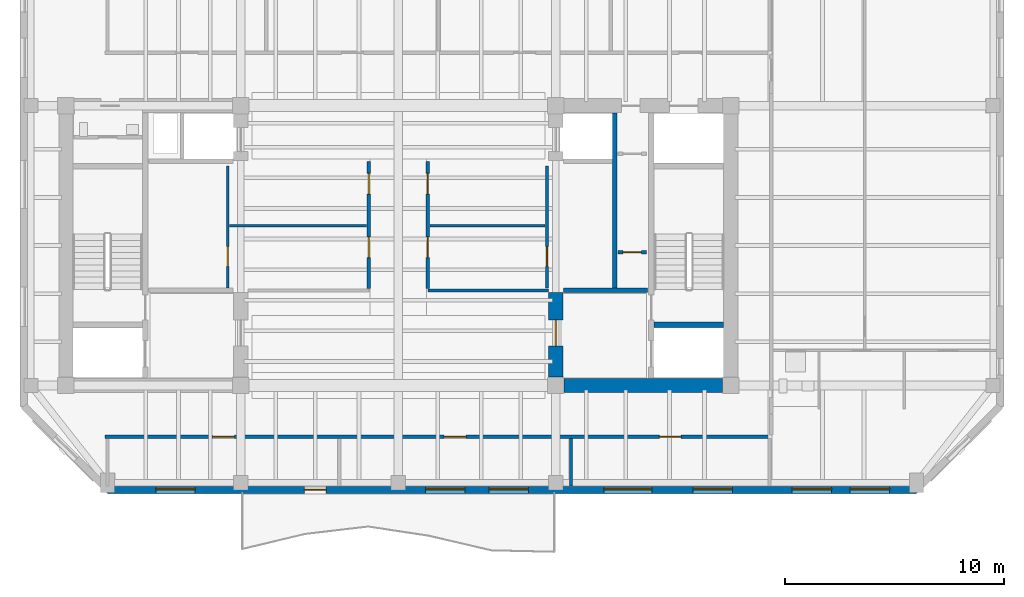
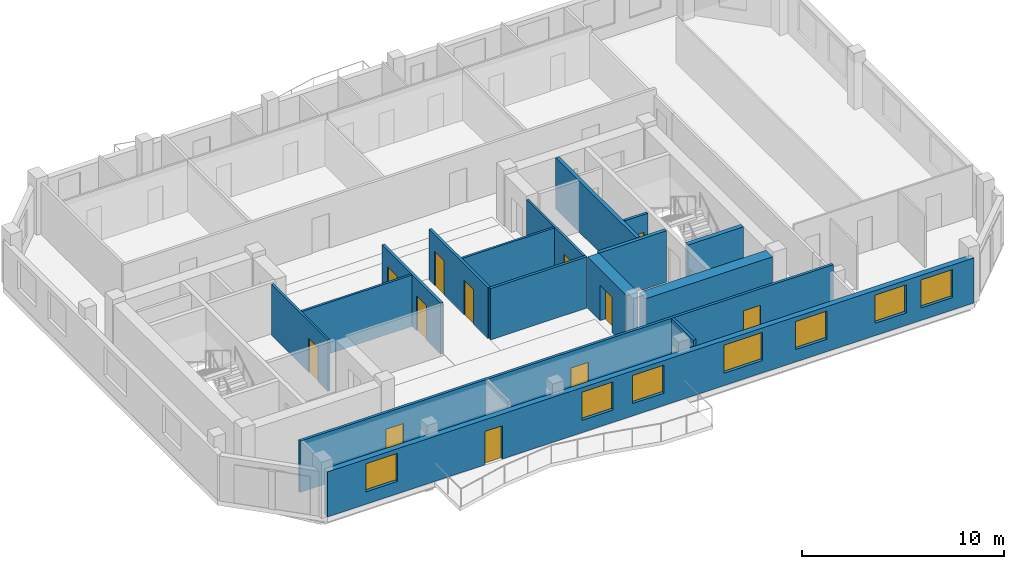
# One storey, part 3 of 9: 16 walls, 12 doors, 7 windows, 19 openings.
"""IFC4 building model written with IfcOpenShell, lengths in metres."""

from ifc_helpers import new_model, si_unit, direction, frame, frame_2d, origin, place, context, subcontext, project, spatial, rectangle, extrude, material, layer, layer_set, type_object, element, fill, save


model = new_model("IFC4")

# Units and contexts
model_context = context("Model", 3, precision=1e-05, world=origin(), true_north=direction((0.0, 1.0)))
body_context = subcontext(model_context, "Body", "Model", "MODEL_VIEW")
ifc_project = project(units=[si_unit("LENGTHUNIT", "METRE"), si_unit("AREAUNIT", "SQUARE_METRE"), si_unit("VOLUMEUNIT", "CUBIC_METRE"), si_unit("PLANEANGLEUNIT", "RADIAN"), si_unit("MASSUNIT", "GRAM", prefix="KILO")], contexts=[model_context])

# Site, building, storey
site_placement = place(None, origin())
site = spatial("IfcSite", under=ifc_project, at=site_placement, CompositionType="ELEMENT")
building_placement = place(site_placement, origin())
building = spatial("IfcBuilding", under=site, at=building_placement, Name="Kranthara Brick Stack", CompositionType="ELEMENT")
storey_placement = place(building_placement, frame((0.0, 0.0, 261.89990234375)))
storey = spatial("IfcBuildingStorey", under=building, at=storey_placement, Name="L69", CompositionType="ELEMENT", Elevation=261.89990234375)

# Wall, openings, door, windows
ifc_material_1 = material(Name="Warm buff clay brick masonry M15", Category="masonry")
ifc_layer_1 = layer(ifc_material_1, 0.320068359375)
ifc_layer_set_1 = layer_set([ifc_layer_1], Name="Warm buff clay brick masonry M15")
wall_type_1 = type_object("IfcWallType", Name="WL-BRK-UPPR-320", PredefinedType="STANDARD", material=ifc_layer_set_1)
wall_1_placement = place(storey_placement, frame((51.699951171875, 16.030029296875, 0.0), z_axis=(0.0, 0.0, 1.0), x_axis=(-1.0, 0.0, 0.0)))
wall_1 = element("IfcWall", 1, at=wall_1_placement, inside=storey, type_object=wall_type_1, Name="L69 Exterior Brick Facade Wall SOUTH 1", PredefinedType="STANDARD", context=body_context, shape_type="SweptSolid", body=[
    extrude(rectangle(XDim=37.0, YDim=0.320068359375, at=frame_2d((18.5, 0.0))), origin(), (0.0, 0.0, 1.0), 2.72509765625),
])
opening_1_placement = place(wall_1_placement, frame((27.0, 0.0, 0.0)))
opening_1 = element("IfcOpeningElement", 2, at=opening_1_placement, cuts=wall_1, Name="Opening D03", PredefinedType="OPENING", context=body_context, shape_type="SweptSolid", body=[
    extrude(rectangle(XDim=1.0, YDim=2.02001953125, at=frame_2d((0.5, 1.010009765625))), frame((0.0, 0.169921875, 0.0), z_axis=(0.0, -1.0, 0.0), x_axis=(1.0, 0.0, 0.0)), (0.0, 0.0, 1.0), 0.340087890625),
])
opening_2_placement = place(wall_1_placement, frame((1.235107421875, 0.0, 0.75)))
opening_2 = element("IfcOpeningElement", 3, at=opening_2_placement, cuts=wall_1, Name="Opening WN07", PredefinedType="OPENING", context=body_context, shape_type="SweptSolid", body=[
    extrude(rectangle(XDim=1.800048828125, YDim=1.699951171875, at=frame_2d((0.89990234375, 0.85009765625))), frame((0.0, 0.169921875, 0.0), z_axis=(0.0, -1.0, 0.0), x_axis=(1.0, 0.0, 0.0)), (0.0, 0.0, 1.0), 0.340087890625),
])
opening_3_placement = place(wall_1_placement, frame((3.885009765625, 0.0, 0.75)))
opening_3 = element("IfcOpeningElement", 4, at=opening_3_placement, cuts=wall_1, Name="Opening WN07", PredefinedType="OPENING", context=body_context, shape_type="SweptSolid", body=[
    extrude(rectangle(XDim=1.800048828125, YDim=1.699951171875, at=frame_2d((0.89990234375, 0.85009765625))), frame((0.0, 0.169921875, 0.0), z_axis=(0.0, -1.0, 0.0), x_axis=(1.0, 0.0, 0.0)), (0.0, 0.0, 1.0), 0.340087890625),
])
opening_4_placement = place(wall_1_placement, frame((8.422119140625, 0.0, 0.75)))
opening_4 = element("IfcOpeningElement", 5, at=opening_4_placement, cuts=wall_1, Name="Opening WN07", PredefinedType="OPENING", context=body_context, shape_type="SweptSolid", body=[
    extrude(rectangle(XDim=1.800048828125, YDim=1.699951171875, at=frame_2d((0.89990234375, 0.85009765625))), frame((0.0, 0.169921875, 0.0), z_axis=(0.0, -1.0, 0.0), x_axis=(1.0, 0.0, 0.0)), (0.0, 0.0, 1.0), 0.340087890625),
])
opening_5_placement = place(wall_1_placement, frame((12.10205078125, 0.0, 0.75)))
opening_5 = element("IfcOpeningElement", 6, at=opening_5_placement, cuts=wall_1, Name="Opening WN08", PredefinedType="OPENING", context=body_context, shape_type="SweptSolid", body=[
    extrude(rectangle(XDim=2.199951171875, YDim=1.699951171875, at=frame_2d((1.10009765625, 0.85009765625))), frame((0.0, 0.169921875, 0.0), z_axis=(0.0, -1.0, 0.0), x_axis=(1.0, 0.0, 0.0)), (0.0, 0.0, 1.0), 0.340087890625),
])
opening_6_placement = place(wall_1_placement, frame((17.748046875, 0.0, 0.75)))
opening_6 = element("IfcOpeningElement", 7, at=opening_6_placement, cuts=wall_1, Name="Opening WN07", PredefinedType="OPENING", context=body_context, shape_type="SweptSolid", body=[
    extrude(rectangle(XDim=1.800048828125, YDim=1.699951171875, at=frame_2d((0.89990234375, 0.85009765625))), frame((0.0, 0.169921875, 0.0), z_axis=(0.0, -1.0, 0.0), x_axis=(1.0, 0.0, 0.0)), (0.0, 0.0, 1.0), 0.340087890625),
])
opening_7_placement = place(wall_1_placement, frame((20.652099609375, 0.0, 0.75)))
opening_7 = element("IfcOpeningElement", 8, at=opening_7_placement, cuts=wall_1, Name="Opening WN07", PredefinedType="OPENING", context=body_context, shape_type="SweptSolid", body=[
    extrude(rectangle(XDim=1.800048828125, YDim=1.699951171875, at=frame_2d((0.89990234375, 0.85009765625))), frame((0.0, 0.169921875, 0.0), z_axis=(0.0, -1.0, 0.0), x_axis=(1.0, 0.0, 0.0)), (0.0, 0.0, 1.0), 0.340087890625),
])
opening_8_placement = place(wall_1_placement, frame((32.988037109375, 0.0, 0.75)))
opening_8 = element("IfcOpeningElement", 9, at=opening_8_placement, cuts=wall_1, Name="Opening WN07", PredefinedType="OPENING", context=body_context, shape_type="SweptSolid", body=[
    extrude(rectangle(XDim=1.800048828125, YDim=1.699951171875, at=frame_2d((0.89990234375, 0.85009765625))), frame((0.0, 0.169921875, 0.0), z_axis=(0.0, -1.0, 0.0), x_axis=(1.0, 0.0, 0.0)), (0.0, 0.0, 1.0), 0.340087890625),
])
ifc_material_2 = material(Name="Bronze anodised aluminium and laminated glass", Category="aluminium")
door_type_1 = type_object("IfcDoorType", Name="DR-BALC-1000", OperationType="NOTDEFINED", PredefinedType="DOOR", material=ifc_material_2)
door_1_placement = place(opening_1_placement, origin())
door_1 = element("IfcDoor", 10, at=door_1_placement, inside=storey, type_object=door_type_1, Name="L69 South Balcony Terrace Door", OperationType="SINGLE_SWING_LEFT", OverallHeight=2.02001953125, OverallWidth=1.0, PredefinedType="DOOR", context=body_context, shape_type="SweptSolid", body=[
    extrude(rectangle(XDim=1.0, YDim=2.02001953125, at=frame_2d((0.5, 1.010009765625))), frame((0.0, 0.02490234375, 0.0), z_axis=(0.0, -1.0, 0.0), x_axis=(1.0, 0.0, 0.0)), (0.0, 0.0, 1.0), 0.050048828125),
])
fill(opening_1, door_1)
ifc_material_3 = material(Name="Double-glazed low-E solar control glass", Category="glass")
window_type_1 = type_object("IfcWindowType", Name="WN-RES-1800x1850", PartitioningType="DOUBLE_PANEL_VERTICAL", PredefinedType="WINDOW", material=ifc_material_3)
window_1_placement = place(opening_2_placement, origin())
window_1 = element("IfcWindow", 11, at=window_1_placement, inside=storey, type_object=window_type_1, Name="L69 South Deep-Set Brick Window 01", OverallHeight=1.699951171875, OverallWidth=1.800048828125, PartitioningType="SINGLE_PANEL", PredefinedType="WINDOW", context=body_context, shape_type="SweptSolid", body=[
    extrude(rectangle(XDim=1.800048828125, YDim=1.699951171875, at=frame_2d((0.89990234375, 0.85009765625))), frame((0.0, -0.010009765625, 0.0), z_axis=(0.0, -1.0, 0.0), x_axis=(1.0, 0.0, 0.0)), (0.0, 0.0, 1.0), 0.06005859375),
])
fill(opening_2, window_1)
window_2_placement = place(opening_3_placement, origin())
window_2 = element("IfcWindow", 12, at=window_2_placement, inside=storey, type_object=window_type_1, Name="L69 South Deep-Set Brick Window 02", OverallHeight=1.699951171875, OverallWidth=1.800048828125, PartitioningType="SINGLE_PANEL", PredefinedType="WINDOW", context=body_context, shape_type="SweptSolid", body=[
    extrude(rectangle(XDim=1.800048828125, YDim=1.699951171875, at=frame_2d((0.89990234375, 0.85009765625))), frame((0.0, -0.010009765625, 0.0), z_axis=(0.0, -1.0, 0.0), x_axis=(1.0, 0.0, 0.0)), (0.0, 0.0, 1.0), 0.06005859375),
])
fill(opening_3, window_2)
window_3_placement = place(opening_4_placement, origin())
window_3 = element("IfcWindow", 13, at=window_3_placement, inside=storey, type_object=window_type_1, Name="L69 South Deep-Set Brick Window 03", OverallHeight=1.699951171875, OverallWidth=1.800048828125, PartitioningType="SINGLE_PANEL", PredefinedType="WINDOW", context=body_context, shape_type="SweptSolid", body=[
    extrude(rectangle(XDim=1.800048828125, YDim=1.699951171875, at=frame_2d((0.89990234375, 0.85009765625))), frame((0.0, -0.010009765625, 0.0), z_axis=(0.0, -1.0, 0.0), x_axis=(1.0, 0.0, 0.0)), (0.0, 0.0, 1.0), 0.06005859375),
])
fill(opening_4, window_3)
window_4_placement = place(opening_6_placement, origin())
window_4 = element("IfcWindow", 14, at=window_4_placement, inside=storey, type_object=window_type_1, Name="L69 South Deep-Set Brick Window 05", OverallHeight=1.699951171875, OverallWidth=1.800048828125, PartitioningType="SINGLE_PANEL", PredefinedType="WINDOW", context=body_context, shape_type="SweptSolid", body=[
    extrude(rectangle(XDim=1.800048828125, YDim=1.699951171875, at=frame_2d((0.89990234375, 0.85009765625))), frame((0.0, -0.010009765625, 0.0), z_axis=(0.0, -1.0, 0.0), x_axis=(1.0, 0.0, 0.0)), (0.0, 0.0, 1.0), 0.06005859375),
])
fill(opening_6, window_4)
window_5_placement = place(opening_7_placement, origin())
window_5 = element("IfcWindow", 15, at=window_5_placement, inside=storey, type_object=window_type_1, Name="L69 South Deep-Set Brick Window 06", OverallHeight=1.699951171875, OverallWidth=1.800048828125, PartitioningType="SINGLE_PANEL", PredefinedType="WINDOW", context=body_context, shape_type="SweptSolid", body=[
    extrude(rectangle(XDim=1.800048828125, YDim=1.699951171875, at=frame_2d((0.89990234375, 0.85009765625))), frame((0.0, -0.010009765625, 0.0), z_axis=(0.0, -1.0, 0.0), x_axis=(1.0, 0.0, 0.0)), (0.0, 0.0, 1.0), 0.06005859375),
])
fill(opening_7, window_5)
window_6_placement = place(opening_8_placement, origin())
window_6 = element("IfcWindow", 16, at=window_6_placement, inside=storey, type_object=window_type_1, Name="L69 South Deep-Set Brick Window 07", OverallHeight=1.699951171875, OverallWidth=1.800048828125, PartitioningType="SINGLE_PANEL", PredefinedType="WINDOW", context=body_context, shape_type="SweptSolid", body=[
    extrude(rectangle(XDim=1.800048828125, YDim=1.699951171875, at=frame_2d((0.89990234375, 0.85009765625))), frame((0.0, -0.010009765625, 0.0), z_axis=(0.0, -1.0, 0.0), x_axis=(1.0, 0.0, 0.0)), (0.0, 0.0, 1.0), 0.06005859375),
])
fill(opening_8, window_6)
ifc_material_4 = material(Name="Double-glazed low-E solar control glass", Category="glass")
window_type_2 = type_object("IfcWindowType", Name="WN-RES-2200x1850", PartitioningType="TRIPLE_PANEL_VERTICAL", PredefinedType="WINDOW", material=ifc_material_4)
window_7_placement = place(opening_5_placement, origin())
window_7 = element("IfcWindow", 17, at=window_7_placement, inside=storey, type_object=window_type_2, Name="L69 South Deep-Set Brick Window 04", OverallHeight=1.699951171875, OverallWidth=2.199951171875, PartitioningType="SINGLE_PANEL", PredefinedType="WINDOW", context=body_context, shape_type="SweptSolid", body=[
    extrude(rectangle(XDim=2.199951171875, YDim=1.699951171875, at=frame_2d((1.10009765625, 0.85009765625))), frame((0.0, -0.010009765625, 0.0), z_axis=(0.0, -1.0, 0.0), x_axis=(1.0, 0.0, 0.0)), (0.0, 0.0, 1.0), 0.06005859375),
])
fill(opening_5, window_7)

# Walls
ifc_material_5 = material(Name="Concrete C50/60", Category="concrete")
ifc_layer_2 = layer(ifc_material_5, 0.25)
ifc_layer_set_2 = layer_set([ifc_layer_2], Name="Concrete C50/60")
wall_type_2 = type_object("IfcWallType", Name="WL-CORE-250", PredefinedType="SHEAR", material=ifc_layer_set_2)
wall_2_placement = place(storey_placement, frame((39.68994140625, 23.570068359375, 0.0), z_axis=(0.0, 0.0, 1.0), x_axis=(1.0, 0.0, 0.0)))
element("IfcWall", 18, at=wall_2_placement, inside=storey, type_object=wall_type_2, Name="L69 East Stairwell Bearing Wall EFF", PredefinedType="SHEAR", context=body_context, shape_type="SweptSolid", body=[
    extrude(rectangle(XDim=3.175048828125, YDim=0.25, at=frame_2d((1.58740234375, 0.0))), origin(), (0.0, 0.0, 1.0), 3.10009765625),
])
ifc_material_6 = material(Name="Concrete C60/75", Category="concrete")
ifc_layer_3 = layer(ifc_material_6, 0.64990234375)
ifc_layer_set_3 = layer_set([ifc_layer_3], Name="Concrete C60/75")
wall_type_3 = type_object("IfcWallType", Name="WL-CORE-650", PredefinedType="SHEAR", material=ifc_layer_set_3)
wall_3_placement = place(storey_placement, frame((35.580078125, 20.800048828125, 0.0), z_axis=(0.0, 0.0, 1.0), x_axis=(1.0, 0.0, 0.0)))
element("IfcWall", 19, at=wall_3_placement, inside=storey, type_object=wall_type_3, Name="L69 East Core Shear Wall South", PredefinedType="SHEAR", context=body_context, shape_type="SweptSolid", body=[
    extrude(rectangle(XDim=7.239990234375, YDim=0.64990234375, at=frame_2d((3.6201171875, 0.0))), origin(), (0.0, 0.0, 1.0), 3.10009765625),
])

# Wall, opening, door
wall_4_placement = place(storey_placement, frame((35.199951171875, 21.179931640625, 0.0), z_axis=(0.0, 0.0, 1.0), x_axis=(0.0, 1.0, 0.0)))
wall_4 = element("IfcWall", 20, at=wall_4_placement, inside=storey, type_object=wall_type_3, Name="L69 East Core Lobby Shear Wall", PredefinedType="SHEAR", context=body_context, shape_type="SweptSolid", body=[
    extrude(rectangle(XDim=3.8701171875, YDim=0.64990234375, at=frame_2d((1.93505859375, 0.0))), origin(), (0.0, 0.0, 1.0), 3.10009765625),
])
opening_9_placement = place(wall_4_placement, frame((1.419921875, 0.0, 0.0)))
opening_9 = element("IfcOpeningElement", 21, at=opening_9_placement, cuts=wall_4, Name="Opening D06", PredefinedType="OPENING", context=body_context, shape_type="SweptSolid", body=[
    extrude(rectangle(XDim=1.199951171875, YDim=2.14990234375, at=frame_2d((0.60009765625, 1.074951171875))), frame((0.0, 0.3349609375, 0.0), z_axis=(0.0, -1.0, 0.0), x_axis=(1.0, 0.0, 0.0)), (0.0, 0.0, 1.0), 0.669921875),
])
ifc_material_7 = material(Name="Solid-core hardwood timber leaf in steel frame", Category="steel")
door_type_2 = type_object("IfcDoorType", Name="DR-FFL-1200", OperationType="NOTDEFINED", PredefinedType="DOOR", material=ifc_material_7)
door_2_placement = place(opening_9_placement, origin())
door_2 = element("IfcDoor", 22, at=door_2_placement, inside=storey, type_object=door_type_2, Name="L69 East Firefighting Lobby Door", OperationType="SINGLE_SWING_RIGHT", OverallHeight=2.14990234375, OverallWidth=1.199951171875, PredefinedType="DOOR", context=body_context, shape_type="SweptSolid", body=[
    extrude(rectangle(XDim=1.199951171875, YDim=2.14990234375, at=frame_2d((0.60009765625, 1.074951171875))), frame((0.0, 0.02490234375, 0.0), z_axis=(0.0, -1.0, 0.0), x_axis=(1.0, 0.0, 0.0)), (0.0, 0.0, 1.0), 0.050048828125),
])
fill(opening_9, door_2)

ifc_material_8 = material(Name="Acoustic gypsum plasterboard partition", Category="other")
ifc_layer_4 = layer(ifc_material_8, 0.1201171875)
ifc_layer_set_4 = layer_set([ifc_layer_4], Name="Acoustic gypsum plasterboard partition")
wall_type_4 = type_object("IfcWallType", Name="WL-PART-120", PredefinedType="PARTITIONING", material=ifc_layer_set_4)
wall_5_placement = place(storey_placement, frame((20.199951171875, 25.2548828125, 0.0), z_axis=(0.0, 0.0, 1.0), x_axis=(0.0, 1.0, 0.0)))
wall_5 = element("IfcWall", 23, at=wall_5_placement, inside=storey, type_object=wall_type_4, Name="L69 Interior Partition 007", PredefinedType="PARTITIONING", context=body_context, shape_type="SweptSolid", body=[
    extrude(rectangle(XDim=5.59521484375, YDim=0.1201171875, at=frame_2d((2.797607421875, 0.0))), origin(), (0.0, 0.0, 1.0), 3.10009765625),
])
opening_10_placement = place(wall_5_placement, frame((0.9951171875, 0.0, 0.0)))
opening_10 = element("IfcOpeningElement", 24, at=opening_10_placement, cuts=wall_5, Name="Opening D15", PredefinedType="OPENING", context=body_context, shape_type="SweptSolid", body=[
    extrude(rectangle(XDim=0.89990234375, YDim=2.050048828125, at=frame_2d((0.449951171875, 1.02490234375))), frame((0.0, 0.070068359375, 0.0), z_axis=(0.0, -1.0, 0.0), x_axis=(1.0, 0.0, 0.0)), (0.0, 0.0, 1.0), 0.14013671875),
])
ifc_material_9 = material(Name="Solid-core hardwood timber leaf in steel frame", Category="steel")
door_type_3 = type_object("IfcDoorType", Name="DR-INT-900", OperationType="NOTDEFINED", PredefinedType="DOOR", material=ifc_material_9)
door_3_placement = place(opening_10_placement, origin())
door_3 = element("IfcDoor", 25, at=door_3_placement, inside=storey, type_object=door_type_3, Name="L69 Music Room Door 04", OperationType="SINGLE_SWING_RIGHT", OverallHeight=2.050048828125, OverallWidth=0.89990234375, PredefinedType="DOOR", context=body_context, shape_type="SweptSolid", body=[
    extrude(rectangle(XDim=0.89990234375, YDim=2.050048828125, at=frame_2d((0.449951171875, 1.02490234375))), frame((0.0, 0.02490234375, 0.0), z_axis=(0.0, -1.0, 0.0), x_axis=(1.0, 0.0, 0.0)), (0.0, 0.0, 1.0), 0.050048828125),
])
fill(opening_10, door_3)

# Wall
wall_6_placement = place(storey_placement, frame((20.280029296875, 28.10009765625, 0.0), z_axis=(0.0, 0.0, 1.0), x_axis=(1.0, 0.0, 0.0)))
element("IfcWall", 26, at=wall_6_placement, inside=storey, type_object=wall_type_4, Name="L69 Interior Partition 008", PredefinedType="PARTITIONING", context=body_context, shape_type="SweptSolid", body=[
    extrude(rectangle(XDim=6.27001953125, YDim=0.1201171875, at=frame_2d((3.135009765625, 0.0))), origin(), (0.0, 0.0, 1.0), 3.10009765625),
])

# Wall, opening, door
wall_7_placement = place(storey_placement, frame((34.800048828125, 25.25, 0.0), z_axis=(0.0, 0.0, 1.0), x_axis=(0.0, 1.0, 0.0)))
wall_7 = element("IfcWall", 27, at=wall_7_placement, inside=storey, type_object=wall_type_4, Name="L69 Interior Partition 010", PredefinedType="PARTITIONING", context=body_context, shape_type="SweptSolid", body=[
    extrude(rectangle(XDim=5.60009765625, YDim=0.1201171875, at=frame_2d((2.800048828125, 0.0))), origin(), (0.0, 0.0, 1.0), 3.10009765625),
])
opening_11_placement = place(wall_7_placement, frame((1.0, 0.0, 0.0)))
opening_11 = element("IfcOpeningElement", 28, at=opening_11_placement, cuts=wall_7, Name="Opening D15", PredefinedType="OPENING", context=body_context, shape_type="SweptSolid", body=[
    extrude(rectangle(XDim=0.89990234375, YDim=2.050048828125, at=frame_2d((0.449951171875, 1.02490234375))), frame((0.0, 0.070068359375, 0.0), z_axis=(0.0, -1.0, 0.0), x_axis=(1.0, 0.0, 0.0)), (0.0, 0.0, 1.0), 0.14013671875),
])
door_4_placement = place(opening_11_placement, origin())
door_4 = element("IfcDoor", 29, at=door_4_placement, inside=storey, type_object=door_type_3, Name="L69 Yoga Studio Door 07", OperationType="SINGLE_SWING_LEFT", OverallHeight=2.050048828125, OverallWidth=0.89990234375, PredefinedType="DOOR", context=body_context, shape_type="SweptSolid", body=[
    extrude(rectangle(XDim=0.89990234375, YDim=2.050048828125, at=frame_2d((0.449951171875, 1.02490234375))), frame((0.0, 0.02490234375, 0.0), z_axis=(0.0, -1.0, 0.0), x_axis=(1.0, 0.0, 0.0)), (0.0, 0.0, 1.0), 0.050048828125),
])
fill(opening_11, door_4)

# Wall
wall_8_placement = place(storey_placement, frame((29.449951171875, 28.10009765625, 0.0), z_axis=(0.0, 0.0, 1.0), x_axis=(1.0, 0.0, 0.0)))
element("IfcWall", 30, at=wall_8_placement, inside=storey, type_object=wall_type_4, Name="L69 Interior Partition 011", PredefinedType="PARTITIONING", context=body_context, shape_type="SweptSolid", body=[
    extrude(rectangle(XDim=5.27001953125, YDim=0.1201171875, at=frame_2d((2.635009765625, 0.0))), origin(), (0.0, 0.0, 1.0), 3.10009765625),
])

# Wall, opening, door
ifc_material_10 = material(Name="Fire-rated gypsum board partition", Category="other")
ifc_layer_5 = layer(ifc_material_10, 0.14990234375)
ifc_layer_set_5 = layer_set([ifc_layer_5], Name="Fire-rated gypsum board partition")
wall_type_5 = type_object("IfcWallType", Name="WL-PART-150", PredefinedType="PARTITIONING", material=ifc_layer_set_5)
wall_9_placement = place(storey_placement, frame((38.050048828125, 26.89990234375, 0.0), z_axis=(0.0, 0.0, 1.0), x_axis=(1.0, 0.0, 0.0)))
wall_9 = element("IfcWall", 31, at=wall_9_placement, inside=storey, type_object=wall_type_5, Name="L69 Interior Partition 002", PredefinedType="PARTITIONING", context=body_context, shape_type="SweptSolid", body=[
    extrude(rectangle(XDim=1.300048828125, YDim=0.14990234375, at=frame_2d((0.64990234375, 0.0))), origin(), (0.0, 0.0, 1.0), 3.10009765625),
])
opening_12_placement = place(wall_9_placement, frame((0.219970703125, 0.0, 0.0)))
opening_12 = element("IfcOpeningElement", 32, at=opening_12_placement, cuts=wall_9, Name="Opening D10", PredefinedType="OPENING", context=body_context, shape_type="SweptSolid", body=[
    extrude(rectangle(XDim=0.85009765625, YDim=2.02001953125, at=frame_2d((0.425048828125, 1.010009765625))), frame((0.0, 0.0849609375, 0.0), z_axis=(0.0, -1.0, 0.0), x_axis=(1.0, 0.0, 0.0)), (0.0, 0.0, 1.0), 0.169921875),
])
ifc_material_11 = material(Name="Solid-core hardwood timber leaf in steel frame", Category="steel")
door_type_4 = type_object("IfcDoorType", Name="DR-RSR-850", OperationType="NOTDEFINED", PredefinedType="DOOR", material=ifc_material_11)
door_5_placement = place(opening_12_placement, origin())
door_5 = element("IfcDoor", 33, at=door_5_placement, inside=storey, type_object=door_type_4, Name="L69 East Valve Door 02", OperationType="SINGLE_SWING_RIGHT", OverallHeight=2.02001953125, OverallWidth=0.85009765625, PredefinedType="DOOR", context=body_context, shape_type="SweptSolid", body=[
    extrude(rectangle(XDim=0.85009765625, YDim=2.02001953125, at=frame_2d((0.425048828125, 1.010009765625))), frame((0.0, 0.02490234375, 0.0), z_axis=(0.0, -1.0, 0.0), x_axis=(1.0, 0.0, 0.0)), (0.0, 0.0, 1.0), 0.050048828125),
])
fill(opening_12, door_5)

# Wall
wall_10_placement = place(storey_placement, frame((29.35009765625, 25.14990234375, 0.0), z_axis=(0.0, 0.0, 1.0), x_axis=(1.0, 0.0, 0.0)))
element("IfcWall", 34, at=wall_10_placement, inside=storey, type_object=wall_type_5, Name="L69 Interior Partition 005", PredefinedType="PARTITIONING", context=body_context, shape_type="SweptSolid", body=[
    extrude(rectangle(XDim=5.52001953125, YDim=0.14990234375, at=frame_2d((2.760009765625, 0.0))), origin(), (0.0, 0.0, 1.0), 3.10009765625),
])

# Wall, openings, doors
wall_11_placement = place(storey_placement, frame((26.64990234375, 25.22998046875, 0.0), z_axis=(0.0, 0.0, 1.0), x_axis=(0.0, 1.0, 0.0)))
wall_11 = element("IfcWall", 35, at=wall_11_placement, inside=storey, type_object=wall_type_5, Name="L69 Interior Partition 006", PredefinedType="PARTITIONING", context=body_context, shape_type="SweptSolid", body=[
    extrude(rectangle(XDim=5.820068359375, YDim=0.14990234375, at=frame_2d((2.91015625, 0.0))), origin(), (0.0, 0.0, 1.0), 3.10009765625),
])
opening_13_placement = place(wall_11_placement, frame((1.419921875, 0.0, 0.0)))
opening_13 = element("IfcOpeningElement", 36, at=opening_13_placement, cuts=wall_11, Name="Opening D09", PredefinedType="OPENING", context=body_context, shape_type="SweptSolid", body=[
    extrude(rectangle(XDim=0.949951171875, YDim=2.10009765625, at=frame_2d((0.47509765625, 1.050048828125))), frame((0.0, 0.0849609375, 0.0), z_axis=(0.0, -1.0, 0.0), x_axis=(1.0, 0.0, 0.0)), (0.0, 0.0, 1.0), 0.169921875),
])
opening_14_placement = place(wall_11_placement, frame((4.320068359375, 0.0, 0.0)))
opening_14 = element("IfcOpeningElement", 37, at=opening_14_placement, cuts=wall_11, Name="Opening D09", PredefinedType="OPENING", context=body_context, shape_type="SweptSolid", body=[
    extrude(rectangle(XDim=0.949951171875, YDim=2.10009765625, at=frame_2d((0.47509765625, 1.050048828125))), frame((0.0, 0.0849609375, 0.0), z_axis=(0.0, -1.0, 0.0), x_axis=(1.0, 0.0, 0.0)), (0.0, 0.0, 1.0), 0.169921875),
])
ifc_material_12 = material(Name="Solid-core hardwood timber leaf in steel frame", Category="steel")
door_type_5 = type_object("IfcDoorType", Name="DR-FD-950", OperationType="NOTDEFINED", PredefinedType="DOOR", material=ifc_material_12)
door_6_placement = place(opening_13_placement, origin())
door_6 = element("IfcDoor", 38, at=door_6_placement, inside=storey, type_object=door_type_5, Name="L69 Sky Club Reading Room 05", OperationType="SINGLE_SWING_LEFT", OverallHeight=2.10009765625, OverallWidth=0.949951171875, PredefinedType="DOOR", context=body_context, shape_type="SweptSolid", body=[
    extrude(rectangle(XDim=0.949951171875, YDim=2.10009765625, at=frame_2d((0.47509765625, 1.050048828125))), frame((0.0, 0.02490234375, 0.0), z_axis=(0.0, -1.0, 0.0), x_axis=(1.0, 0.0, 0.0)), (0.0, 0.0, 1.0), 0.050048828125),
])
fill(opening_13, door_6)
door_7_placement = place(opening_14_placement, origin())
door_7 = element("IfcDoor", 39, at=door_7_placement, inside=storey, type_object=door_type_5, Name="L69 Sky Club Card Salon 06", OperationType="SINGLE_SWING_RIGHT", OverallHeight=2.10009765625, OverallWidth=0.949951171875, PredefinedType="DOOR", context=body_context, shape_type="SweptSolid", body=[
    extrude(rectangle(XDim=0.949951171875, YDim=2.10009765625, at=frame_2d((0.47509765625, 1.050048828125))), frame((0.0, 0.02490234375, 0.0), z_axis=(0.0, -1.0, 0.0), x_axis=(1.0, 0.0, 0.0)), (0.0, 0.0, 1.0), 0.050048828125),
])
fill(opening_14, door_7)

wall_12_placement = place(storey_placement, frame((29.35009765625, 25.22998046875, 0.0), z_axis=(0.0, 0.0, 1.0), x_axis=(0.0, 1.0, 0.0)))
wall_12 = element("IfcWall", 40, at=wall_12_placement, inside=storey, type_object=wall_type_5, Name="L69 Interior Partition 009", PredefinedType="PARTITIONING", context=body_context, shape_type="SweptSolid", body=[
    extrude(rectangle(XDim=5.820068359375, YDim=0.14990234375, at=frame_2d((2.91015625, 0.0))), origin(), (0.0, 0.0, 1.0), 3.10009765625),
])
opening_15_placement = place(wall_12_placement, frame((1.419921875, 0.0, 0.0)))
opening_15 = element("IfcOpeningElement", 41, at=opening_15_placement, cuts=wall_12, Name="Opening D09", PredefinedType="OPENING", context=body_context, shape_type="SweptSolid", body=[
    extrude(rectangle(XDim=0.949951171875, YDim=2.10009765625, at=frame_2d((0.47509765625, 1.050048828125))), frame((0.0, 0.0849609375, 0.0), z_axis=(0.0, -1.0, 0.0), x_axis=(1.0, 0.0, 0.0)), (0.0, 0.0, 1.0), 0.169921875),
])
opening_16_placement = place(wall_12_placement, frame((4.320068359375, 0.0, 0.0)))
opening_16 = element("IfcOpeningElement", 42, at=opening_16_placement, cuts=wall_12, Name="Opening D09", PredefinedType="OPENING", context=body_context, shape_type="SweptSolid", body=[
    extrude(rectangle(XDim=0.949951171875, YDim=2.10009765625, at=frame_2d((0.47509765625, 1.050048828125))), frame((0.0, 0.0849609375, 0.0), z_axis=(0.0, -1.0, 0.0), x_axis=(1.0, 0.0, 0.0)), (0.0, 0.0, 1.0), 0.169921875),
])
door_8_placement = place(opening_15_placement, origin())
door_8 = element("IfcDoor", 43, at=door_8_placement, inside=storey, type_object=door_type_5, Name="L69 Drawing Salon 08", OperationType="SINGLE_SWING_RIGHT", OverallHeight=2.10009765625, OverallWidth=0.949951171875, PredefinedType="DOOR", context=body_context, shape_type="SweptSolid", body=[
    extrude(rectangle(XDim=0.949951171875, YDim=2.10009765625, at=frame_2d((0.47509765625, 1.050048828125))), frame((0.0, 0.02490234375, 0.0), z_axis=(0.0, -1.0, 0.0), x_axis=(1.0, 0.0, 0.0)), (0.0, 0.0, 1.0), 0.050048828125),
])
fill(opening_15, door_8)
door_9_placement = place(opening_16_placement, origin())
door_9 = element("IfcDoor", 44, at=door_9_placement, inside=storey, type_object=door_type_5, Name="L69 Board Games Room 09", OperationType="SINGLE_SWING_LEFT", OverallHeight=2.10009765625, OverallWidth=0.949951171875, PredefinedType="DOOR", context=body_context, shape_type="SweptSolid", body=[
    extrude(rectangle(XDim=0.949951171875, YDim=2.10009765625, at=frame_2d((0.47509765625, 1.050048828125))), frame((0.0, 0.02490234375, 0.0), z_axis=(0.0, -1.0, 0.0), x_axis=(1.0, 0.0, 0.0)), (0.0, 0.0, 1.0), 0.050048828125),
])
fill(opening_16, door_9)

wall_13_placement = place(storey_placement, frame((14.580078125, 18.4599609375, 0.0), z_axis=(0.0, 0.0, 1.0), x_axis=(1.0, 0.0, 0.0)))
wall_13 = element("IfcWall", 45, at=wall_13_placement, inside=storey, type_object=wall_type_5, Name="L69 Interior Partition 012", PredefinedType="PARTITIONING", context=body_context, shape_type="SweptSolid", body=[
    extrude(rectangle(XDim=30.52001953125, YDim=0.14990234375, at=frame_2d((15.260009765625, 0.0))), origin(), (0.0, 0.0, 1.0), 3.10009765625),
])
opening_17_placement = place(wall_13_placement, frame((4.9189453125, 0.0, 0.0)))
opening_17 = element("IfcOpeningElement", 46, at=opening_17_placement, cuts=wall_13, Name="Opening D08", PredefinedType="OPENING", context=body_context, shape_type="SweptSolid", body=[
    extrude(rectangle(XDim=1.0, YDim=2.10009765625, at=frame_2d((0.5, 1.050048828125))), frame((0.0, 0.0849609375, 0.0), z_axis=(0.0, -1.0, 0.0), x_axis=(1.0, 0.0, 0.0)), (0.0, 0.0, 1.0), 0.169921875),
])
opening_18_placement = place(wall_13_placement, frame((15.51708984375, 0.0, 0.0)))
opening_18 = element("IfcOpeningElement", 47, at=opening_18_placement, cuts=wall_13, Name="Opening D08", PredefinedType="OPENING", context=body_context, shape_type="SweptSolid", body=[
    extrude(rectangle(XDim=1.0, YDim=2.10009765625, at=frame_2d((0.5, 1.050048828125))), frame((0.0, 0.0849609375, 0.0), z_axis=(0.0, -1.0, 0.0), x_axis=(1.0, 0.0, 0.0)), (0.0, 0.0, 1.0), 0.169921875),
])
opening_19_placement = place(wall_13_placement, frame((25.35791015625, 0.0, 0.0)))
opening_19 = element("IfcOpeningElement", 48, at=opening_19_placement, cuts=wall_13, Name="Opening D08", PredefinedType="OPENING", context=body_context, shape_type="SweptSolid", body=[
    extrude(rectangle(XDim=1.0, YDim=2.10009765625, at=frame_2d((0.5, 1.050048828125))), frame((0.0, 0.0849609375, 0.0), z_axis=(0.0, -1.0, 0.0), x_axis=(1.0, 0.0, 0.0)), (0.0, 0.0, 1.0), 0.169921875),
])
ifc_material_13 = material(Name="Solid-core hardwood timber leaf in steel frame", Category="steel")
door_type_6 = type_object("IfcDoorType", Name="DR-FD-1000", OperationType="NOTDEFINED", PredefinedType="DOOR", material=ifc_material_13)
door_10_placement = place(opening_17_placement, origin())
door_10 = element("IfcDoor", 49, at=door_10_placement, inside=storey, type_object=door_type_6, Name="L69 South Amenity Lounge 1 10", OperationType="SINGLE_SWING_RIGHT", OverallHeight=2.10009765625, OverallWidth=1.0, PredefinedType="DOOR", context=body_context, shape_type="SweptSolid", body=[
    extrude(rectangle(XDim=1.0, YDim=2.10009765625, at=frame_2d((0.5, 1.050048828125))), frame((0.0, 0.02490234375, 0.0), z_axis=(0.0, -1.0, 0.0), x_axis=(1.0, 0.0, 0.0)), (0.0, 0.0, 1.0), 0.050048828125),
])
fill(opening_17, door_10)
door_11_placement = place(opening_18_placement, origin())
door_11 = element("IfcDoor", 50, at=door_11_placement, inside=storey, type_object=door_type_6, Name="L69 South Amenity Lounge 2 11", OperationType="SINGLE_SWING_LEFT", OverallHeight=2.10009765625, OverallWidth=1.0, PredefinedType="DOOR", context=body_context, shape_type="SweptSolid", body=[
    extrude(rectangle(XDim=1.0, YDim=2.10009765625, at=frame_2d((0.5, 1.050048828125))), frame((0.0, 0.02490234375, 0.0), z_axis=(0.0, -1.0, 0.0), x_axis=(1.0, 0.0, 0.0)), (0.0, 0.0, 1.0), 0.050048828125),
])
fill(opening_18, door_11)
door_12_placement = place(opening_19_placement, origin())
door_12 = element("IfcDoor", 51, at=door_12_placement, inside=storey, type_object=door_type_6, Name="L69 South Amenity Lounge 3 12", OperationType="SINGLE_SWING_RIGHT", OverallHeight=2.10009765625, OverallWidth=1.0, PredefinedType="DOOR", context=body_context, shape_type="SweptSolid", body=[
    extrude(rectangle(XDim=1.0, YDim=2.10009765625, at=frame_2d((0.5, 1.050048828125))), frame((0.0, 0.02490234375, 0.0), z_axis=(0.0, -1.0, 0.0), x_axis=(1.0, 0.0, 0.0)), (0.0, 0.0, 1.0), 0.050048828125),
])
fill(opening_19, door_12)

# Walls
wall_14_placement = place(storey_placement, frame((35.89599609375, 16.195068359375, 0.0), z_axis=(0.0, 0.0, 1.0), x_axis=(0.0, 1.0, 0.0)))
element("IfcWall", 52, at=wall_14_placement, inside=storey, type_object=wall_type_5, Name="L69 Interior Partition 015", PredefinedType="PARTITIONING", context=body_context, shape_type="SweptSolid", body=[
    extrude(rectangle(XDim=2.184814453125, YDim=0.14990234375, at=frame_2d((1.09228515625, 0.0))), origin(), (0.0, 0.0, 1.0), 3.10009765625),
])
ifc_material_14 = material(Name="Concrete C40/50", Category="concrete")
ifc_layer_6 = layer(ifc_material_14, 0.199951171875)
ifc_layer_set_6 = layer_set([ifc_layer_6], Name="Concrete C40/50")
wall_type_6 = type_object("IfcWallType", Name="WL-PART-200", PredefinedType="SOLIDWALL", material=ifc_layer_set_6)
wall_15_placement = place(storey_placement, frame((35.550048828125, 25.14990234375, 0.0), z_axis=(0.0, 0.0, 1.0), x_axis=(1.0, 0.0, 0.0)))
element("IfcWall", 53, at=wall_15_placement, inside=storey, type_object=wall_type_6, Name="L69 East Core Cross Wall EFL", PredefinedType="SOLIDWALL", context=body_context, shape_type="SweptSolid", body=[
    extrude(rectangle(XDim=3.849853515625, YDim=0.199951171875, at=frame_2d((1.9248046875, 0.0))), origin(), (0.0, 0.0, 1.0), 3.10009765625),
])
wall_16_placement = place(storey_placement, frame((37.89990234375, 25.27001953125, 0.0), z_axis=(0.0, 0.0, 1.0), x_axis=(0.0, 1.0, 0.0)))
element("IfcWall", 54, at=wall_16_placement, inside=storey, type_object=wall_type_6, Name="L69 East Core Cross Wall ESV", PredefinedType="SOLIDWALL", context=body_context, shape_type="SweptSolid", body=[
    extrude(rectangle(XDim=7.994873046875, YDim=0.199951171875, at=frame_2d((3.99755859375, 0.0))), origin(), (0.0, 0.0, 1.0), 3.10009765625),
])

save(model, "model.ifc")
